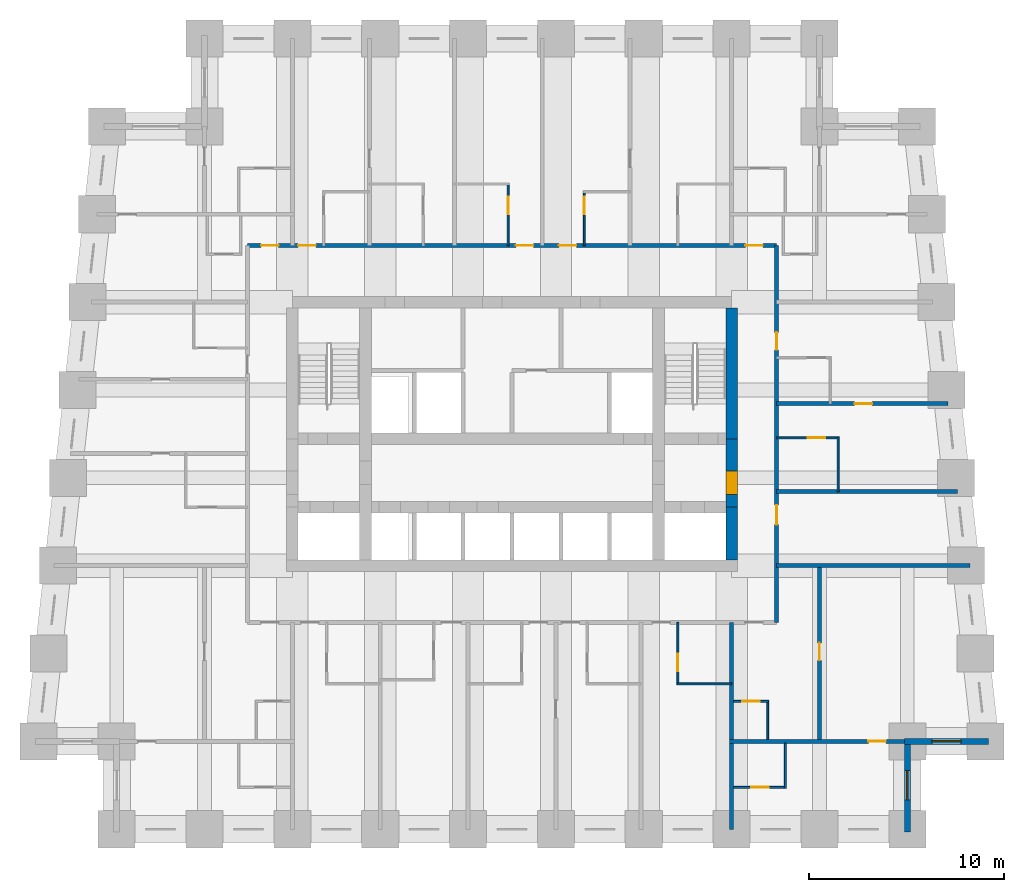
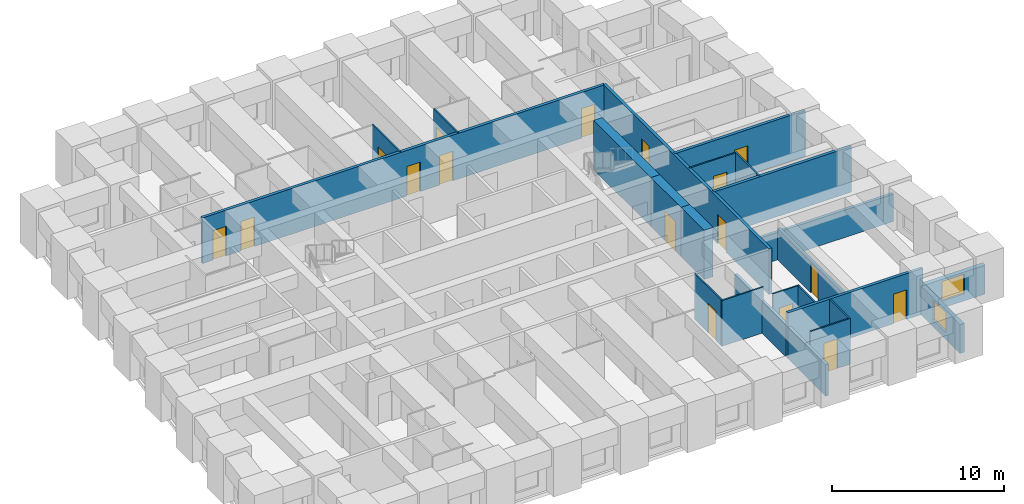
# One storey, part 5 of 8: 23 walls, 17 doors, 2 windows, 19 openings.
"""IFC4 building model written with IfcOpenShell, lengths in metres."""

from ifc_helpers import new_model, si_unit, direction, frame, frame_2d, origin, place, context, subcontext, project, spatial, rectangle, extrude, material, layer, layer_set, type_object, element, fill, save


model = new_model("IFC4")

# Units and contexts
model_context = context("Model", 3, precision=1e-05, world=origin(), true_north=direction((0.0, 1.0)))
body_context = subcontext(model_context, "Body", "Model", "MODEL_VIEW")
ifc_project = project(units=[si_unit("LENGTHUNIT", "METRE"), si_unit("AREAUNIT", "SQUARE_METRE"), si_unit("VOLUMEUNIT", "CUBIC_METRE"), si_unit("PLANEANGLEUNIT", "RADIAN"), si_unit("MASSUNIT", "GRAM", prefix="KILO")], contexts=[model_context])

# Site, building, storey
site_placement = place(None, origin())
site = spatial("IfcSite", under=ifc_project, at=site_placement, CompositionType="ELEMENT")
building_placement = place(site_placement, origin())
building = spatial("IfcBuilding", under=site, at=building_placement, Name="Kilele Tower Hotel", CompositionType="ELEMENT")
storey_placement = place(building_placement, frame((0.0, 0.0, 64.699951171875)))
storey = spatial("IfcBuildingStorey", under=building, at=storey_placement, Name="L15", CompositionType="ELEMENT", Elevation=64.699951171875)

# Wall
ifc_material_1 = material(Name="Moisture-resistant board")
ifc_layer_1 = layer(ifc_material_1, 0.10009765625)
ifc_layer_set_1 = layer_set([ifc_layer_1], Name="Moisture-resistant board")
wall_type_1 = type_object("IfcWallType", Name="Bathroom partition 100", PredefinedType="PLUMBINGWALL", material=ifc_layer_set_1)
wall_1_placement = place(storey_placement, frame((33.199951171875, 7.449951171875, 0.0), z_axis=(0.0, 0.0, 1.0), x_axis=(1.0, 0.0, 0.0)))
element("IfcWall", 1, at=wall_1_placement, inside=storey, type_object=wall_type_1, Name="Bathroom partition 100 L15", PredefinedType="PLUMBINGWALL", context=body_context, shape_type="SweptSolid", body=[
    extrude(rectangle(XDim=2.800048828125, YDim=0.10009765625, at=frame_2d((1.39990234375, 0.0))), origin(), (0.0, 0.0, 1.0), 3.25),
])

# Wall, opening, door
wall_2_placement = place(storey_placement, frame((33.25, 10.60009765625, 0.0), z_axis=(0.0, 0.0, 1.0), x_axis=(0.0, -1.0, 0.0)))
wall_2 = element("IfcWall", 2, at=wall_2_placement, inside=storey, type_object=wall_type_1, Name="Bathroom partition 100 L15", PredefinedType="PLUMBINGWALL", context=body_context, shape_type="SweptSolid", body=[
    extrude(rectangle(XDim=3.2001953125, YDim=0.10009765625, at=frame_2d((1.60009765625, 0.0))), origin(), (0.0, 0.0, 1.0), 3.25),
])
opening_1_placement = place(wall_2_placement, frame((2.5, 0.0, 0.0), z_axis=(0.0, 0.0, 1.0), x_axis=(-1.0, 0.0, 0.0)))
opening_1 = element("IfcOpeningElement", 3, at=opening_1_placement, cuts=wall_2, Name="Opening D2A", PredefinedType="OPENING", context=body_context, shape_type="SweptSolid", body=[
    extrude(rectangle(XDim=0.89990234375, YDim=2.10009765625, at=frame_2d((0.449951171875, 1.050048828125))), frame((0.0, 0.06005859375, 0.0), z_axis=(0.0, -1.0, 0.0), x_axis=(1.0, 0.0, 0.0)), (0.0, 0.0, 1.0), 0.1201171875),
])
ifc_material_2 = material(Name="Timber door leaf in hardwood frame", Category="wood")
door_type_1 = type_object("IfcDoorType", Name="Bathroom door 900", OperationType="SINGLE_SWING_LEFT", PredefinedType="DOOR", material=ifc_material_2)
door_1_placement = place(opening_1_placement, origin())
door_1 = element("IfcDoor", 4, at=door_1_placement, inside=storey, type_object=door_type_1, Name="Bathroom door 1505B", OperationType="SINGLE_SWING_LEFT", OverallHeight=2.10009765625, OverallWidth=0.89990234375, PredefinedType="DOOR", context=body_context, shape_type="SweptSolid", body=[
    extrude(rectangle(XDim=0.89990234375, YDim=2.10009765625, at=frame_2d((0.449951171875, 1.050048828125))), frame((0.0, 0.02490234375, 0.0), z_axis=(0.0, -1.0, 0.0), x_axis=(1.0, 0.0, 0.0)), (0.0, 0.0, 1.0), 0.050048828125),
])
fill(opening_1, door_1)

# Wall
wall_3_placement = place(storey_placement, frame((41.449951171875, 17.300048828125, 0.0), z_axis=(0.0, 0.0, 1.0), x_axis=(0.0, 1.0, 0.0)))
element("IfcWall", 5, at=wall_3_placement, inside=storey, type_object=wall_type_1, Name="Bathroom partition 100 L15", PredefinedType="PLUMBINGWALL", context=body_context, shape_type="SweptSolid", body=[
    extrude(rectangle(XDim=2.800048828125, YDim=0.10009765625, at=frame_2d((1.39990234375, 0.0))), origin(), (0.0, 0.0, 1.0), 3.25),
])

# Wall, opening, door
wall_4_placement = place(storey_placement, frame((38.300048828125, 20.050048828125, 0.0), z_axis=(0.0, 0.0, 1.0), x_axis=(1.0, 0.0, 0.0)))
wall_4 = element("IfcWall", 6, at=wall_4_placement, inside=storey, type_object=wall_type_1, Name="Bathroom partition 100 L15", PredefinedType="PLUMBINGWALL", context=body_context, shape_type="SweptSolid", body=[
    extrude(rectangle(XDim=3.199951171875, YDim=0.10009765625, at=frame_2d((1.60009765625, 0.0))), origin(), (0.0, 0.0, 1.0), 3.25),
])
opening_2_placement = place(wall_4_placement, frame((1.60009765625, 0.0, 0.0)))
opening_2 = element("IfcOpeningElement", 7, at=opening_2_placement, cuts=wall_4, Name="Opening D2A", PredefinedType="OPENING", context=body_context, shape_type="SweptSolid", body=[
    extrude(rectangle(XDim=0.89990234375, YDim=2.10009765625, at=frame_2d((0.449951171875, 1.050048828125))), frame((0.0, 0.06005859375, 0.0), z_axis=(0.0, -1.0, 0.0), x_axis=(1.0, 0.0, 0.0)), (0.0, 0.0, 1.0), 0.1201171875),
])
door_2_placement = place(opening_2_placement, origin())
door_2 = element("IfcDoor", 8, at=door_2_placement, inside=storey, type_object=door_type_1, Name="Bathroom door 1507B", OperationType="SINGLE_SWING_LEFT", OverallHeight=2.10009765625, OverallWidth=0.89990234375, PredefinedType="DOOR", context=body_context, shape_type="SweptSolid", body=[
    extrude(rectangle(XDim=0.89990234375, YDim=2.10009765625, at=frame_2d((0.449951171875, 1.050048828125))), frame((0.0, 0.02490234375, 0.0), z_axis=(0.0, -1.0, 0.0), x_axis=(1.0, 0.0, 0.0)), (0.0, 0.0, 1.0), 0.050048828125),
])
fill(opening_2, door_2)

wall_5_placement = place(storey_placement, frame((24.550048828125, 29.89990234375, 0.0), z_axis=(0.0, 0.0, 1.0), x_axis=(0.0, 1.0, 0.0)))
wall_5 = element("IfcWall", 9, at=wall_5_placement, inside=storey, type_object=wall_type_1, Name="Bathroom partition 100 L15", PredefinedType="PLUMBINGWALL", context=body_context, shape_type="SweptSolid", body=[
    extrude(rectangle(XDim=3.2001953125, YDim=0.10009765625, at=frame_2d((1.60009765625, 0.0))), origin(), (0.0, 0.0, 1.0), 3.25),
])
opening_3_placement = place(wall_5_placement, frame((2.5, 0.0, 0.0), z_axis=(0.0, 0.0, 1.0), x_axis=(-1.0, 0.0, 0.0)))
opening_3 = element("IfcOpeningElement", 10, at=opening_3_placement, cuts=wall_5, Name="Opening D2A", PredefinedType="OPENING", context=body_context, shape_type="SweptSolid", body=[
    extrude(rectangle(XDim=0.89990234375, YDim=2.10009765625, at=frame_2d((0.449951171875, 1.050048828125))), frame((0.0, 0.06005859375, 0.0), z_axis=(0.0, -1.0, 0.0), x_axis=(1.0, 0.0, 0.0)), (0.0, 0.0, 1.0), 0.1201171875),
])
door_3_placement = place(opening_3_placement, origin())
door_3 = element("IfcDoor", 11, at=door_3_placement, inside=storey, type_object=door_type_1, Name="Bathroom door 1511B", OperationType="SINGLE_SWING_RIGHT", OverallHeight=2.10009765625, OverallWidth=0.89990234375, PredefinedType="DOOR", context=body_context, shape_type="SweptSolid", body=[
    extrude(rectangle(XDim=0.89990234375, YDim=2.10009765625, at=frame_2d((0.449951171875, 1.050048828125))), frame((0.0, 0.02490234375, 0.0), z_axis=(0.0, -1.0, 0.0), x_axis=(1.0, 0.0, 0.0)), (0.0, 0.0, 1.0), 0.050048828125),
])
fill(opening_3, door_3)

wall_6_placement = place(storey_placement, frame((28.449951171875, 29.89990234375, 0.0), z_axis=(0.0, 0.0, 1.0), x_axis=(0.0, 1.0, 0.0)))
wall_6 = element("IfcWall", 12, at=wall_6_placement, inside=storey, type_object=wall_type_1, Name="Bathroom partition 100 L15", PredefinedType="PLUMBINGWALL", context=body_context, shape_type="SweptSolid", body=[
    extrude(rectangle(XDim=2.800048828125, YDim=0.10009765625, at=frame_2d((1.39990234375, 0.0))), origin(), (0.0, 0.0, 1.0), 3.25),
])
opening_4_placement = place(wall_6_placement, frame((1.60009765625, 0.0, 0.0)))
opening_4 = element("IfcOpeningElement", 13, at=opening_4_placement, cuts=wall_6, Name="Opening D2A", PredefinedType="OPENING", context=body_context, shape_type="SweptSolid", body=[
    extrude(rectangle(XDim=0.89990234375, YDim=2.10009765625, at=frame_2d((0.449951171875, 1.050048828125))), frame((0.0, 0.06005859375, 0.0), z_axis=(0.0, -1.0, 0.0), x_axis=(1.0, 0.0, 0.0)), (0.0, 0.0, 1.0), 0.1201171875),
])
door_4_placement = place(opening_4_placement, origin())
door_4 = element("IfcDoor", 14, at=door_4_placement, inside=storey, type_object=door_type_1, Name="Bathroom door 1512B", OperationType="SINGLE_SWING_LEFT", OverallHeight=2.10009765625, OverallWidth=0.89990234375, PredefinedType="DOOR", context=body_context, shape_type="SweptSolid", body=[
    extrude(rectangle(XDim=0.89990234375, YDim=2.10009765625, at=frame_2d((0.449951171875, 1.050048828125))), frame((0.0, 0.02490234375, 0.0), z_axis=(0.0, -1.0, 0.0), x_axis=(1.0, 0.0, 0.0)), (0.0, 0.0, 1.0), 0.050048828125),
])
fill(opening_4, door_4)

# Wall
wall_7_placement = place(storey_placement, frame((37.85009765625, 4.60009765625, 0.0), z_axis=(0.0, 0.0, 1.0), x_axis=(0.0, 1.0, 0.0)))
element("IfcWall", 15, at=wall_7_placement, inside=storey, type_object=wall_type_1, Name="Bathroom partition 100 L15", PredefinedType="PLUMBINGWALL", context=body_context, shape_type="SweptSolid", body=[
    extrude(rectangle(XDim=2.0, YDim=0.10009765625, at=frame_2d((1.0, 0.0))), origin(), (0.0, 0.0, 1.0), 3.25),
])

# Wall, opening, door
wall_8_placement = place(storey_placement, frame((36.10009765625, 6.550048828125, 0.0), z_axis=(0.0, 0.0, 1.0), x_axis=(1.0, 0.0, 0.0)))
wall_8 = element("IfcWall", 16, at=wall_8_placement, inside=storey, type_object=wall_type_1, Name="Bathroom partition 100 L15", PredefinedType="PLUMBINGWALL", context=body_context, shape_type="SweptSolid", body=[
    extrude(rectangle(XDim=1.7998046875, YDim=0.10009765625, at=frame_2d((0.89990234375, 0.0))), origin(), (0.0, 0.0, 1.0), 3.25),
])
opening_5_placement = place(wall_8_placement, frame((0.449951171875, 0.0, 0.0)))
opening_5 = element("IfcOpeningElement", 17, at=opening_5_placement, cuts=wall_8, Name="Opening D2A", PredefinedType="OPENING", context=body_context, shape_type="SweptSolid", body=[
    extrude(rectangle(XDim=0.89990234375, YDim=2.10009765625, at=frame_2d((0.449951171875, 1.050048828125))), frame((0.0, 0.06005859375, 0.0), z_axis=(0.0, -1.0, 0.0), x_axis=(1.0, 0.0, 0.0)), (0.0, 0.0, 1.0), 0.1201171875),
])
door_5_placement = place(opening_5_placement, origin())
door_5 = element("IfcDoor", 18, at=door_5_placement, inside=storey, type_object=door_type_1, Name="Bathroom door 1520P", OperationType="SINGLE_SWING_LEFT", OverallHeight=2.10009765625, OverallWidth=0.89990234375, PredefinedType="DOOR", context=body_context, shape_type="SweptSolid", body=[
    extrude(rectangle(XDim=0.89990234375, YDim=2.10009765625, at=frame_2d((0.449951171875, 1.050048828125))), frame((0.0, 0.02490234375, 0.0), z_axis=(0.0, -1.0, 0.0), x_axis=(1.0, 0.0, 0.0)), (0.0, 0.0, 1.0), 0.050048828125),
])
fill(opening_5, door_5)

# Wall
wall_9_placement = place(storey_placement, frame((38.75, 4.39990234375, 0.0), z_axis=(0.0, 0.0, 1.0), x_axis=(0.0, -1.0, 0.0)))
element("IfcWall", 19, at=wall_9_placement, inside=storey, type_object=wall_type_1, Name="Bathroom partition 100 L15", PredefinedType="PLUMBINGWALL", context=body_context, shape_type="SweptSolid", body=[
    extrude(rectangle(XDim=2.2998046875, YDim=0.10009765625, at=frame_2d((1.14990234375, 0.0))), origin(), (0.0, 0.0, 1.0), 3.25),
])

# Wall, opening, door
wall_10_placement = place(storey_placement, frame((36.10009765625, 2.14990234375, 0.0), z_axis=(0.0, 0.0, 1.0), x_axis=(1.0, 0.0, 0.0)))
wall_10 = element("IfcWall", 20, at=wall_10_placement, inside=storey, type_object=wall_type_1, Name="Bathroom partition 100 L15", PredefinedType="PLUMBINGWALL", context=body_context, shape_type="SweptSolid", body=[
    extrude(rectangle(XDim=2.699951171875, YDim=0.10009765625, at=frame_2d((1.35009765625, 0.0))), origin(), (0.0, 0.0, 1.0), 3.25),
])
opening_6_placement = place(wall_10_placement, frame((1.7998046875, 0.0, 0.0), z_axis=(0.0, 0.0, 1.0), x_axis=(-1.0, 0.0, 0.0)))
opening_6 = element("IfcOpeningElement", 21, at=opening_6_placement, cuts=wall_10, Name="Opening D2A", PredefinedType="OPENING", context=body_context, shape_type="SweptSolid", body=[
    extrude(rectangle(XDim=0.89990234375, YDim=2.10009765625, at=frame_2d((0.449951171875, 1.050048828125))), frame((0.0, 0.06005859375, 0.0), z_axis=(0.0, -1.0, 0.0), x_axis=(1.0, 0.0, 0.0)), (0.0, 0.0, 1.0), 0.1201171875),
])
door_6_placement = place(opening_6_placement, origin())
door_6 = element("IfcDoor", 22, at=door_6_placement, inside=storey, type_object=door_type_1, Name="Bathroom door 1522B", OperationType="SINGLE_SWING_RIGHT", OverallHeight=2.10009765625, OverallWidth=0.89990234375, PredefinedType="DOOR", context=body_context, shape_type="SweptSolid", body=[
    extrude(rectangle(XDim=0.89990234375, YDim=2.10009765625, at=frame_2d((0.449951171875, 1.050048828125))), frame((0.0, 0.02490234375, 0.0), z_axis=(0.0, -1.0, 0.0), x_axis=(1.0, 0.0, 0.0)), (0.0, 0.0, 1.0), 0.050048828125),
])
fill(opening_6, door_6)

# Wall
ifc_material_3 = material(Name="Concrete C60/75", Category="concrete")
ifc_layer_2 = layer(ifc_material_3, 0.60009765625)
ifc_layer_set_2 = layer_set([ifc_layer_2], Name="Concrete C60/75")
wall_type_2 = type_object("IfcWallType", Name="Core wall 600 C60/75", PredefinedType="SHEAR", material=ifc_layer_set_2)
wall_11_placement = place(storey_placement, frame((36.0, 13.800048828125, 0.0), z_axis=(0.0, 0.0, 1.0), x_axis=(0.0, 1.0, 0.0)))
element("IfcWall", 23, at=wall_11_placement, inside=storey, type_object=wall_type_2, Name="Core wall E1 L15", PredefinedType="SHEAR", context=body_context, shape_type="SweptSolid", body=[
    extrude(rectangle(XDim=2.699951171875, YDim=0.60009765625, at=frame_2d((1.35009765625, 0.0))), origin(), (0.0, 0.0, 1.0), 3.5),
])

# Wall, opening, door
wall_12_placement = place(storey_placement, frame((36.0, 16.5, 0.0), z_axis=(0.0, 0.0, 1.0), x_axis=(0.0, 1.0, 0.0)))
wall_12 = element("IfcWall", 24, at=wall_12_placement, inside=storey, type_object=wall_type_2, Name="Core wall E2 L15", PredefinedType="SHEAR", context=body_context, shape_type="SweptSolid", body=[
    extrude(rectangle(XDim=3.5, YDim=0.60009765625, at=frame_2d((1.75, 0.0))), origin(), (0.0, 0.0, 1.0), 3.5),
])
opening_7_placement = place(wall_12_placement, frame((0.64990234375, 0.0, 0.0)))
opening_7 = element("IfcOpeningElement", 25, at=opening_7_placement, cuts=wall_12, Name="Opening D4", PredefinedType="OPENING", context=body_context, shape_type="SweptSolid", body=[
    extrude(rectangle(XDim=1.199951171875, YDim=2.10009765625, at=frame_2d((0.60009765625, 1.050048828125))), frame((0.0, 0.31005859375, 0.0), z_axis=(0.0, -1.0, 0.0), x_axis=(1.0, 0.0, 0.0)), (0.0, 0.0, 1.0), 0.6201171875),
])
ifc_material_4 = material(Name="Timber door leaf in hardwood frame", Category="wood")
door_type_2 = type_object("IfcDoorType", Name="Firefighting lobby door 1200", OperationType="SINGLE_SWING_LEFT", PredefinedType="DOOR", material=ifc_material_4)
door_7_placement = place(opening_7_placement, origin())
door_7 = element("IfcDoor", 26, at=door_7_placement, inside=storey, type_object=door_type_2, Name="Lobby door L15", OperationType="SINGLE_SWING_LEFT", OverallHeight=2.10009765625, OverallWidth=1.199951171875, PredefinedType="DOOR", context=body_context, shape_type="SweptSolid", body=[
    extrude(rectangle(XDim=1.199951171875, YDim=2.10009765625, at=frame_2d((0.60009765625, 1.050048828125))), frame((0.0, 0.2998046875, 0.0), z_axis=(0.0, -1.0, 0.0), x_axis=(1.0, 0.0, 0.0)), (0.0, 0.0, 1.0), 0.599609375),
])
fill(opening_7, door_7)

# Wall
wall_13_placement = place(storey_placement, frame((36.0, 20.0, 0.0), z_axis=(0.0, 0.0, 1.0), x_axis=(0.0, 1.0, 0.0)))
element("IfcWall", 27, at=wall_13_placement, inside=storey, type_object=wall_type_2, Name="Core wall E3 L15", PredefinedType="SHEAR", context=body_context, shape_type="SweptSolid", body=[
    extrude(rectangle(XDim=6.699951171875, YDim=0.60009765625, at=frame_2d((3.35009765625, 0.0))), origin(), (0.0, 0.0, 1.0), 3.5),
])

# Wall, openings, doors
ifc_material_5 = material(Name="Blockwork, plastered both sides", Category="masonry")
ifc_layer_3 = layer(ifc_material_5, 0.199951171875)
ifc_layer_set_3 = layer_set([ifc_layer_3], Name="Blockwork, plastered both sides")
wall_type_3 = type_object("IfcWallType", Name="Corridor wall 200", PredefinedType="PARTITIONING", material=ifc_layer_set_3)
wall_14_placement = place(storey_placement, frame((11.199951171875, 29.89990234375, 0.0), z_axis=(0.0, 0.0, 1.0), x_axis=(1.0, 0.0, 0.0)))
wall_14 = element("IfcWall", 28, at=wall_14_placement, inside=storey, type_object=wall_type_3, Name="Corridor wall 200 L15", PredefinedType="PARTITIONING", context=body_context, shape_type="SweptSolid", body=[
    extrude(rectangle(XDim=27.10009765625, YDim=0.199951171875, at=frame_2d((13.550048828125, 0.0))), origin(), (0.0, 0.0, 1.0), 3.25),
])
opening_8_placement = place(wall_14_placement, frame((2.60009765625, 0.0, 0.0)))
opening_8 = element("IfcOpeningElement", 29, at=opening_8_placement, cuts=wall_14, Name="Opening D1", PredefinedType="OPENING", context=body_context, shape_type="SweptSolid", body=[
    extrude(rectangle(XDim=0.89990234375, YDim=2.10009765625, at=frame_2d((0.449951171875, 1.050048828125))), frame((0.0, 0.10986328125, 0.0), z_axis=(0.0, -1.0, 0.0), x_axis=(1.0, 0.0, 0.0)), (0.0, 0.0, 1.0), 0.219970703125),
])
opening_9_placement = place(wall_14_placement, frame((13.75, 0.0, 0.0)))
opening_9 = element("IfcOpeningElement", 30, at=opening_9_placement, cuts=wall_14, Name="Opening D1", PredefinedType="OPENING", context=body_context, shape_type="SweptSolid", body=[
    extrude(rectangle(XDim=0.89990234375, YDim=2.10009765625, at=frame_2d((0.449951171875, 1.050048828125))), frame((0.0, 0.10986328125, 0.0), z_axis=(0.0, -1.0, 0.0), x_axis=(1.0, 0.0, 0.0)), (0.0, 0.0, 1.0), 0.219970703125),
])
opening_10_placement = place(wall_14_placement, frame((15.949951171875, 0.0, 0.0)))
opening_10 = element("IfcOpeningElement", 31, at=opening_10_placement, cuts=wall_14, Name="Opening D1", PredefinedType="OPENING", context=body_context, shape_type="SweptSolid", body=[
    extrude(rectangle(XDim=0.89990234375, YDim=2.10009765625, at=frame_2d((0.449951171875, 1.050048828125))), frame((0.0, 0.10986328125, 0.0), z_axis=(0.0, -1.0, 0.0), x_axis=(1.0, 0.0, 0.0)), (0.0, 0.0, 1.0), 0.219970703125),
])
opening_11_placement = place(wall_14_placement, frame((25.5, 0.0, 0.0)))
opening_11 = element("IfcOpeningElement", 32, at=opening_11_placement, cuts=wall_14, Name="Opening D1", PredefinedType="OPENING", context=body_context, shape_type="SweptSolid", body=[
    extrude(rectangle(XDim=0.89990234375, YDim=2.10009765625, at=frame_2d((0.449951171875, 1.050048828125))), frame((0.0, 0.10986328125, 0.0), z_axis=(0.0, -1.0, 0.0), x_axis=(1.0, 0.0, 0.0)), (0.0, 0.0, 1.0), 0.219970703125),
])
opening_12_placement = place(wall_14_placement, frame((0.699951171875, 0.0, 0.0)))
opening_12 = element("IfcOpeningElement", 33, at=opening_12_placement, cuts=wall_14, Name="Opening D1", PredefinedType="OPENING", context=body_context, shape_type="SweptSolid", body=[
    extrude(rectangle(XDim=0.89990234375, YDim=2.10009765625, at=frame_2d((0.449951171875, 1.050048828125))), frame((0.0, 0.10986328125, 0.0), z_axis=(0.0, -1.0, 0.0), x_axis=(1.0, 0.0, 0.0)), (0.0, 0.0, 1.0), 0.219970703125),
])
ifc_material_6 = material(Name="Timber door leaf in hardwood frame", Category="wood")
door_type_3 = type_object("IfcDoorType", Name="Guest room entrance door 900", OperationType="SINGLE_SWING_LEFT", PredefinedType="DOOR", material=ifc_material_6)
door_8_placement = place(opening_8_placement, origin())
door_8 = element("IfcDoor", 34, at=door_8_placement, inside=storey, type_object=door_type_3, Name="Room entrance 1509", OperationType="SINGLE_SWING_LEFT", OverallHeight=2.10009765625, OverallWidth=0.89990234375, PredefinedType="DOOR", context=body_context, shape_type="SweptSolid", body=[
    extrude(rectangle(XDim=0.89990234375, YDim=2.10009765625, at=frame_2d((0.449951171875, 1.050048828125))), frame((0.0, 0.02490234375, 0.0), z_axis=(0.0, -1.0, 0.0), x_axis=(1.0, 0.0, 0.0)), (0.0, 0.0, 1.0), 0.050048828125),
])
fill(opening_8, door_8)
door_9_placement = place(opening_9_placement, origin())
door_9 = element("IfcDoor", 35, at=door_9_placement, inside=storey, type_object=door_type_3, Name="Room entrance 1511", OperationType="SINGLE_SWING_RIGHT", OverallHeight=2.10009765625, OverallWidth=0.89990234375, PredefinedType="DOOR", context=body_context, shape_type="SweptSolid", body=[
    extrude(rectangle(XDim=0.89990234375, YDim=2.10009765625, at=frame_2d((0.449951171875, 1.050048828125))), frame((0.0, 0.02490234375, 0.0), z_axis=(0.0, -1.0, 0.0), x_axis=(1.0, 0.0, 0.0)), (0.0, 0.0, 1.0), 0.050048828125),
])
fill(opening_9, door_9)
door_10_placement = place(opening_10_placement, origin())
door_10 = element("IfcDoor", 36, at=door_10_placement, inside=storey, type_object=door_type_3, Name="Room entrance 1512", OperationType="SINGLE_SWING_RIGHT", OverallHeight=2.10009765625, OverallWidth=0.89990234375, PredefinedType="DOOR", context=body_context, shape_type="SweptSolid", body=[
    extrude(rectangle(XDim=0.89990234375, YDim=2.10009765625, at=frame_2d((0.449951171875, 1.050048828125))), frame((0.0, 0.02490234375, 0.0), z_axis=(0.0, -1.0, 0.0), x_axis=(1.0, 0.0, 0.0)), (0.0, 0.0, 1.0), 0.050048828125),
])
fill(opening_10, door_10)
door_11_placement = place(opening_11_placement, origin())
door_11 = element("IfcDoor", 37, at=door_11_placement, inside=storey, type_object=door_type_3, Name="Room entrance 1523", OperationType="SINGLE_SWING_LEFT", OverallHeight=2.10009765625, OverallWidth=0.89990234375, PredefinedType="DOOR", context=body_context, shape_type="SweptSolid", body=[
    extrude(rectangle(XDim=0.89990234375, YDim=2.10009765625, at=frame_2d((0.449951171875, 1.050048828125))), frame((0.0, 0.02490234375, 0.0), z_axis=(0.0, -1.0, 0.0), x_axis=(1.0, 0.0, 0.0)), (0.0, 0.0, 1.0), 0.050048828125),
])
fill(opening_11, door_11)
door_12_placement = place(opening_12_placement, origin())
door_12 = element("IfcDoor", 38, at=door_12_placement, inside=storey, type_object=door_type_3, Name="Room entrance 1526", OperationType="SINGLE_SWING_RIGHT", OverallHeight=2.10009765625, OverallWidth=0.89990234375, PredefinedType="DOOR", context=body_context, shape_type="SweptSolid", body=[
    extrude(rectangle(XDim=0.89990234375, YDim=2.10009765625, at=frame_2d((0.449951171875, 1.050048828125))), frame((0.0, 0.02490234375, 0.0), z_axis=(0.0, -1.0, 0.0), x_axis=(1.0, 0.0, 0.0)), (0.0, 0.0, 1.0), 0.050048828125),
])
fill(opening_12, door_12)

wall_15_placement = place(storey_placement, frame((38.300048828125, 10.60009765625, 0.0), z_axis=(0.0, 0.0, 1.0), x_axis=(0.0, 1.0, 0.0)))
wall_15 = element("IfcWall", 39, at=wall_15_placement, inside=storey, type_object=wall_type_3, Name="Corridor wall 200 L15", PredefinedType="PARTITIONING", context=body_context, shape_type="SweptSolid", body=[
    extrude(rectangle(XDim=19.2998046875, YDim=0.199951171875, at=frame_2d((9.64990234375, 0.0))), origin(), (0.0, 0.0, 1.0), 3.25),
])
opening_13_placement = place(wall_15_placement, frame((6.0, 0.0, 0.0), z_axis=(0.0, 0.0, 1.0), x_axis=(-1.0, 0.0, 0.0)))
opening_13 = element("IfcOpeningElement", 40, at=opening_13_placement, cuts=wall_15, Name="Opening D8", PredefinedType="OPENING", context=body_context, shape_type="SweptSolid", body=[
    extrude(rectangle(XDim=1.0, YDim=2.10009765625, at=frame_2d((0.5, 1.050048828125))), frame((0.0, 0.10986328125, 0.0), z_axis=(0.0, -1.0, 0.0), x_axis=(1.0, 0.0, 0.0)), (0.0, 0.0, 1.0), 0.219970703125),
])
opening_14_placement = place(wall_15_placement, frame((14.849853515625, 0.0, 0.0), z_axis=(0.0, 0.0, 1.0), x_axis=(-1.0, 0.0, 0.0)))
opening_14 = element("IfcOpeningElement", 41, at=opening_14_placement, cuts=wall_15, Name="Opening D1", PredefinedType="OPENING", context=body_context, shape_type="SweptSolid", body=[
    extrude(rectangle(XDim=0.89990234375, YDim=2.10009765625, at=frame_2d((0.449951171875, 1.050048828125))), frame((0.0, 0.10986328125, 0.0), z_axis=(0.0, -1.0, 0.0), x_axis=(1.0, 0.0, 0.0)), (0.0, 0.0, 1.0), 0.219970703125),
])
ifc_material_7 = material(Name="Timber door leaf in hardwood frame", Category="wood")
door_type_4 = type_object("IfcDoorType", Name="Door 1000", OperationType="SINGLE_SWING_LEFT", PredefinedType="DOOR", material=ifc_material_7)
door_13_placement = place(opening_13_placement, origin())
door_13 = element("IfcDoor", 42, at=door_13_placement, inside=storey, type_object=door_type_4, Name="Room entrance 1506", OperationType="SINGLE_SWING_LEFT", OverallHeight=2.10009765625, OverallWidth=1.0, PredefinedType="DOOR", context=body_context, shape_type="SweptSolid", body=[
    extrude(rectangle(XDim=1.0, YDim=2.10009765625, at=frame_2d((0.5, 1.050048828125))), frame((0.0, 0.02490234375, 0.0), z_axis=(0.0, -1.0, 0.0), x_axis=(1.0, 0.0, 0.0)), (0.0, 0.0, 1.0), 0.050048828125),
])
fill(opening_13, door_13)
door_14_placement = place(opening_14_placement, origin())
door_14 = element("IfcDoor", 43, at=door_14_placement, inside=storey, type_object=door_type_3, Name="Room entrance 1508", OperationType="SINGLE_SWING_RIGHT", OverallHeight=2.10009765625, OverallWidth=0.89990234375, PredefinedType="DOOR", context=body_context, shape_type="SweptSolid", body=[
    extrude(rectangle(XDim=0.89990234375, YDim=2.10009765625, at=frame_2d((0.449951171875, 1.050048828125))), frame((0.0, 0.02490234375, 0.0), z_axis=(0.0, -1.0, 0.0), x_axis=(1.0, 0.0, 0.0)), (0.0, 0.0, 1.0), 0.050048828125),
])
fill(opening_14, door_14)

# Wall, opening, door
ifc_material_8 = material(Name="Blockwork, plastered both sides", Category="masonry")
ifc_layer_4 = layer(ifc_material_8, 0.199951171875)
ifc_layer_set_4 = layer_set([ifc_layer_4], Name="Blockwork, plastered both sides")
wall_type_4 = type_object("IfcWallType", Name="Partition wall 200", PredefinedType="PARTITIONING", material=ifc_layer_set_4)
wall_16_placement = place(storey_placement, frame((40.5, 4.60009765625, 0.0), z_axis=(0.0, 0.0, 1.0), x_axis=(0.0, 1.0, 0.0)))
wall_16 = element("IfcWall", 44, at=wall_16_placement, inside=storey, type_object=wall_type_4, Name="Partition wall 200 L15", PredefinedType="PARTITIONING", context=body_context, shape_type="SweptSolid", body=[
    extrude(rectangle(XDim=8.7998046875, YDim=0.199951171875, at=frame_2d((4.39990234375, 0.0))), origin(), (0.0, 0.0, 1.0), 2.25),
])
opening_15_placement = place(wall_16_placement, frame((4.050048828125, 0.0, 0.0)))
opening_15 = element("IfcOpeningElement", 45, at=opening_15_placement, cuts=wall_16, Name="Opening D3", PredefinedType="OPENING", context=body_context, shape_type="SweptSolid", body=[
    extrude(rectangle(XDim=0.89990234375, YDim=2.10009765625, at=frame_2d((0.449951171875, 1.050048828125))), frame((0.0, 0.10986328125, 0.0), z_axis=(0.0, -1.0, 0.0), x_axis=(1.0, 0.0, 0.0)), (0.0, 0.0, 1.0), 0.219970703125),
])
ifc_material_9 = material(Name="Timber door leaf in hardwood frame", Category="wood")
door_type_5 = type_object("IfcDoorType", Name="Suite internal door 900", OperationType="SINGLE_SWING_LEFT", PredefinedType="DOOR", material=ifc_material_9)
door_15_placement = place(opening_15_placement, origin())
door_15 = element("IfcDoor", 46, at=door_15_placement, inside=storey, type_object=door_type_5, Name="Suite door 1521", OperationType="SINGLE_SWING_RIGHT", OverallHeight=2.10009765625, OverallWidth=0.89990234375, PredefinedType="DOOR", context=body_context, shape_type="SweptSolid", body=[
    extrude(rectangle(XDim=0.89990234375, YDim=2.10009765625, at=frame_2d((0.449951171875, 1.050048828125))), frame((0.0, 0.02490234375, 0.0), z_axis=(0.0, -1.0, 0.0), x_axis=(1.0, 0.0, 0.0)), (0.0, 0.0, 1.0), 0.050048828125),
])
fill(opening_15, door_15)

# Wall
ifc_material_10 = material(Name="Blockwork, plastered both sides", Category="masonry")
ifc_layer_5 = layer(ifc_material_10, 0.199951171875)
ifc_layer_set_5 = layer_set([ifc_layer_5], Name="Blockwork, plastered both sides")
wall_type_5 = type_object("IfcWallType", Name="Party wall 200", PredefinedType="PARTITIONING", material=ifc_layer_set_5)
wall_17_placement = place(storey_placement, frame((38.300048828125, 17.300048828125, 0.0), z_axis=(0.0, 0.0, 1.0), x_axis=(1.0, 0.0, 0.0)))
element("IfcWall", 47, at=wall_17_placement, inside=storey, type_object=wall_type_5, Name="Party wall 200 L15", PredefinedType="PARTITIONING", context=body_context, shape_type="SweptSolid", body=[
    extrude(rectangle(XDim=9.27685546875, YDim=0.199951171875, at=frame_2d((4.638427734375, 0.0))), origin(), (0.0, 0.0, 1.0), 3.25),
])

# Wall, opening, door
wall_18_placement = place(storey_placement, frame((38.300048828125, 21.800048828125, 0.0), z_axis=(0.0, 0.0, 1.0), x_axis=(1.0, 0.0, 0.0)))
wall_18 = element("IfcWall", 48, at=wall_18_placement, inside=storey, type_object=wall_type_5, Name="Party wall 200 L15", PredefinedType="PARTITIONING", context=body_context, shape_type="SweptSolid", body=[
    extrude(rectangle(XDim=8.77685546875, YDim=0.199951171875, at=frame_2d((4.388427734375, 0.0))), origin(), (0.0, 0.0, 1.0), 3.25),
])
opening_16_placement = place(wall_18_placement, frame((4.0, 0.0, 0.0)))
opening_16 = element("IfcOpeningElement", 49, at=opening_16_placement, cuts=wall_18, Name="Opening D3", PredefinedType="OPENING", context=body_context, shape_type="SweptSolid", body=[
    extrude(rectangle(XDim=0.89990234375, YDim=2.10009765625, at=frame_2d((0.449951171875, 1.050048828125))), frame((0.0, 0.10986328125, 0.0), z_axis=(0.0, -1.0, 0.0), x_axis=(1.0, 0.0, 0.0)), (0.0, 0.0, 1.0), 0.219970703125),
])
door_16_placement = place(opening_16_placement, origin())
door_16 = element("IfcDoor", 50, at=door_16_placement, inside=storey, type_object=door_type_5, Name="Suite door 1508", OperationType="SINGLE_SWING_LEFT", OverallHeight=2.10009765625, OverallWidth=0.89990234375, PredefinedType="DOOR", context=body_context, shape_type="SweptSolid", body=[
    extrude(rectangle(XDim=0.89990234375, YDim=2.10009765625, at=frame_2d((0.449951171875, 1.050048828125))), frame((0.0, 0.02490234375, 0.0), z_axis=(0.0, -1.0, 0.0), x_axis=(1.0, 0.0, 0.0)), (0.0, 0.0, 1.0), 0.050048828125),
])
fill(opening_16, door_16)

# Walls
wall_19_placement = place(storey_placement, frame((38.300048828125, 13.5, 0.0), z_axis=(0.0, 0.0, 1.0), x_axis=(1.0, 0.0, 0.0)))
element("IfcWall", 51, at=wall_19_placement, inside=storey, type_object=wall_type_5, Name="Party wall 200 L15", PredefinedType="PARTITIONING", context=body_context, shape_type="SweptSolid", body=[
    extrude(rectangle(XDim=9.921142578125, YDim=0.199951171875, at=frame_2d((4.96044921875, 0.0))), origin(), (0.0, 0.0, 1.0), 1.949951171875),
])
wall_20_placement = place(storey_placement, frame((36.0, 10.60009765625, 0.0), z_axis=(0.0, 0.0, 1.0), x_axis=(0.0, -1.0, 0.0)))
element("IfcWall", 52, at=wall_20_placement, inside=storey, type_object=wall_type_5, Name="Party wall 200 L15", PredefinedType="PARTITIONING", context=body_context, shape_type="SweptSolid", body=[
    extrude(rectangle(XDim=10.60009765625, YDim=0.199951171875, at=frame_2d((5.300048828125, 0.0))), origin(), (0.0, 0.0, 1.0), 2.25),
])

# Wall, opening, door
wall_21_placement = place(storey_placement, frame((35.89990234375, 4.5, 0.0), z_axis=(0.0, 0.0, 1.0), x_axis=(1.0, 0.0, 0.0)))
wall_21 = element("IfcWall", 53, at=wall_21_placement, inside=storey, type_object=wall_type_5, Name="Party wall 200 L15", PredefinedType="PARTITIONING", context=body_context, shape_type="SweptSolid", body=[
    extrude(rectangle(XDim=9.10009765625, YDim=0.199951171875, at=frame_2d((4.550048828125, 0.0))), origin(), (0.0, 0.0, 1.0), 3.25),
])
opening_17_placement = place(wall_21_placement, frame((7.10009765625, 0.0, 0.0)))
opening_17 = element("IfcOpeningElement", 54, at=opening_17_placement, cuts=wall_21, Name="Opening D3", PredefinedType="OPENING", context=body_context, shape_type="SweptSolid", body=[
    extrude(rectangle(XDim=0.89990234375, YDim=2.10009765625, at=frame_2d((0.449951171875, 1.050048828125))), frame((0.0, 0.10986328125, 0.0), z_axis=(0.0, -1.0, 0.0), x_axis=(1.0, 0.0, 0.0)), (0.0, 0.0, 1.0), 0.219970703125),
])
door_17_placement = place(opening_17_placement, origin())
door_17 = element("IfcDoor", 55, at=door_17_placement, inside=storey, type_object=door_type_5, Name="Suite door 1522", OperationType="SINGLE_SWING_RIGHT", OverallHeight=2.10009765625, OverallWidth=0.89990234375, PredefinedType="DOOR", context=body_context, shape_type="SweptSolid", body=[
    extrude(rectangle(XDim=0.89990234375, YDim=2.10009765625, at=frame_2d((0.449951171875, 1.050048828125))), frame((0.0, 0.02490234375, 0.0), z_axis=(0.0, -1.0, 0.0), x_axis=(1.0, 0.0, 0.0)), (0.0, 0.0, 1.0), 0.050048828125),
])
fill(opening_17, door_17)

# Wall, opening, window
ifc_material_11 = material(Name="Concrete C40/50 precast", Category="concrete")
ifc_layer_6 = layer(ifc_material_11, 0.260009765625, Name="Precast backing", Category="LoadBearing")
ifc_material_12 = material(Name="Reconstituted stone finish", Category="masonry")
ifc_layer_7 = layer(ifc_material_12, 0.0400390625, Name="Face mix", Category="Finish")
ifc_layer_set_6 = layer_set([ifc_layer_6, ifc_layer_7], Name="Precast concrete C40/50, reconstituted stone finish")
wall_type_6 = type_object("IfcWallType", Name="Precast stone facade wall 300", PredefinedType="STANDARD", material=ifc_layer_set_6)
wall_22_placement = place(storey_placement, frame((45.0, -0.14990234375, 0.0), z_axis=(0.0, 0.0, 1.0), x_axis=(0.0, 1.0, 0.0)))
wall_22 = element("IfcWall", 56, at=wall_22_placement, inside=storey, type_object=wall_type_6, Name="Facade wall L15 edge 4", PredefinedType="STANDARD", context=body_context, shape_type="SweptSolid", body=[
    extrude(rectangle(XDim=4.7998046875, YDim=0.300048828125, at=frame_2d((2.39990234375, 0.0))), origin(), (0.0, 0.0, 1.0), 2.050048828125),
])
opening_18_placement = place(wall_22_placement, frame((1.64990234375, 0.0, 0.5)))
opening_18 = element("IfcOpeningElement", 57, at=opening_18_placement, cuts=wall_22, Name="Opening W1", PredefinedType="OPENING", context=body_context, shape_type="SweptSolid", body=[
    extrude(rectangle(XDim=1.5, YDim=1.39990234375, at=frame_2d((0.75, 0.699951171875))), frame((0.0, 0.159912109375, 0.0), z_axis=(0.0, -1.0, 0.0), x_axis=(1.0, 0.0, 0.0)), (0.0, 0.0, 1.0), 0.320068359375),
])
ifc_material_13 = material(Name="Aluminium frame, clear double glazing", Category="aluminium")
window_type = type_object("IfcWindowType", Name="Window W1 1500 x 1400", PartitioningType="SINGLE_PANEL", PredefinedType="WINDOW", material=ifc_material_13)
window_1_placement = place(opening_18_placement, origin())
window_1 = element("IfcWindow", 58, at=window_1_placement, inside=storey, type_object=window_type, Name="Window L15", OverallHeight=1.39990234375, OverallWidth=1.5, PartitioningType="SINGLE_PANEL", PredefinedType="WINDOW", context=body_context, shape_type="SweptSolid", body=[
    extrude(rectangle(XDim=1.5, YDim=1.39990234375, at=frame_2d((0.75, 0.699951171875))), frame((0.0, 0.030029296875, 0.0), z_axis=(0.0, -1.0, 0.0), x_axis=(1.0, 0.0, 0.0)), (0.0, 0.0, 1.0), 0.06005859375),
])
fill(opening_18, window_1)

wall_23_placement = place(storey_placement, frame((44.85009765625, 4.5, 0.0), z_axis=(0.0, 0.0, 1.0), x_axis=(1.0, 0.0, 0.0)))
wall_23 = element("IfcWall", 59, at=wall_23_placement, inside=storey, type_object=wall_type_6, Name="Facade wall L15 edge 5", PredefinedType="STANDARD", context=body_context, shape_type="SweptSolid", body=[
    extrude(rectangle(XDim=4.2998046875, YDim=0.300048828125, at=frame_2d((2.14990234375, 0.0))), origin(), (0.0, 0.0, 1.0), 2.050048828125),
])
opening_19_placement = place(wall_23_placement, frame((1.39990234375, 0.0, 0.5)))
opening_19 = element("IfcOpeningElement", 60, at=opening_19_placement, cuts=wall_23, Name="Opening W1", PredefinedType="OPENING", context=body_context, shape_type="SweptSolid", body=[
    extrude(rectangle(XDim=1.5, YDim=1.39990234375, at=frame_2d((0.75, 0.699951171875))), frame((0.0, 0.159912109375, 0.0), z_axis=(0.0, -1.0, 0.0), x_axis=(1.0, 0.0, 0.0)), (0.0, 0.0, 1.0), 0.320068359375),
])
window_2_placement = place(opening_19_placement, origin())
window_2 = element("IfcWindow", 61, at=window_2_placement, inside=storey, type_object=window_type, Name="Window L15", OverallHeight=1.39990234375, OverallWidth=1.5, PartitioningType="SINGLE_PANEL", PredefinedType="WINDOW", context=body_context, shape_type="SweptSolid", body=[
    extrude(rectangle(XDim=1.5, YDim=1.39990234375, at=frame_2d((0.75, 0.699951171875))), frame((0.0, 0.030029296875, 0.0), z_axis=(0.0, -1.0, 0.0), x_axis=(1.0, 0.0, 0.0)), (0.0, 0.0, 1.0), 0.06005859375),
])
fill(opening_19, window_2)

save(model, "model.ifc")
